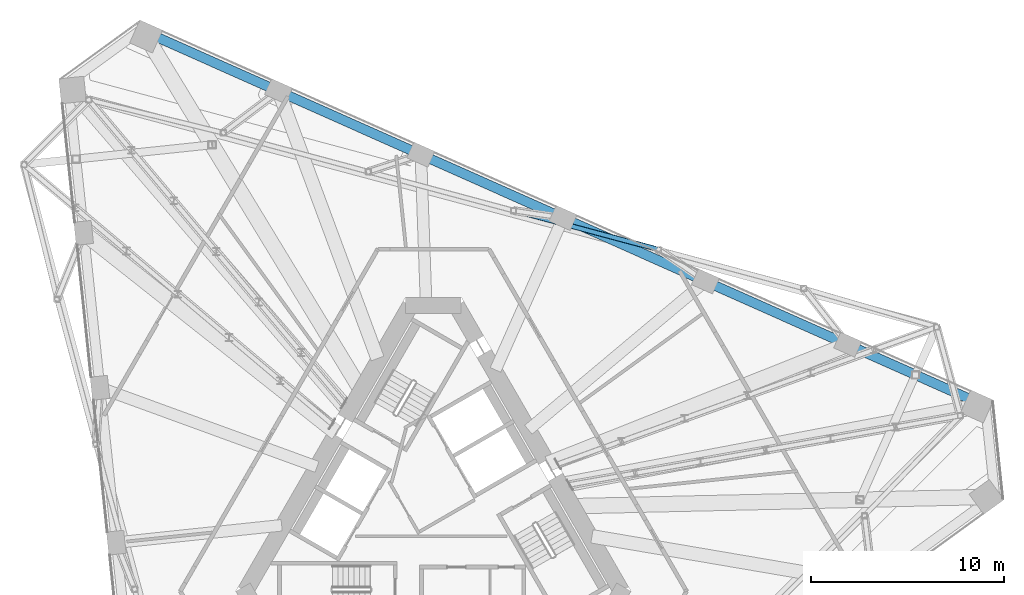
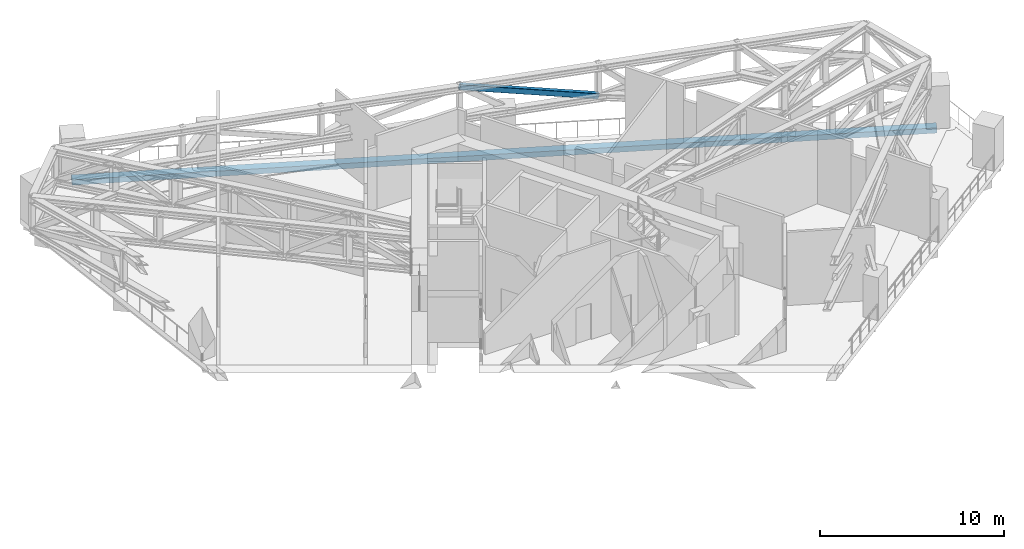
# One storey, part 13 of 26: 1 beam, 1 member.
"""IFC4 building model written with IfcOpenShell, lengths in metres."""

from ifc_helpers import new_model, si_unit, direction, frame, origin, origin_2d, place, context, subcontext, project, spatial, rectangle, hollow_rectangle, extrude, material, material_profile, profile_set, type_object, element, save


model = new_model("IFC4")

# Units and contexts
model_context = context("Model", 3, precision=1e-05, world=origin(), true_north=direction((0.0, 1.0)))
body_context = subcontext(model_context, "Body", "Model", "MODEL_VIEW")
ifc_project = project(units=[si_unit("LENGTHUNIT", "METRE"), si_unit("AREAUNIT", "SQUARE_METRE"), si_unit("VOLUMEUNIT", "CUBIC_METRE"), si_unit("PLANEANGLEUNIT", "RADIAN"), si_unit("MASSUNIT", "GRAM", prefix="KILO")], contexts=[model_context])

# Site, building, storey
site_placement = place(None, origin())
site = spatial("IfcSite", under=ifc_project, at=site_placement, CompositionType="ELEMENT")
building_placement = place(site_placement, origin())
building = spatial("IfcBuilding", under=site, at=building_placement, Name="Tramontana Tower", CompositionType="ELEMENT")
storey_placement = place(building_placement, frame((0.0, 0.0, 194.800048828125)))
storey = spatial("IfcBuildingStorey", under=building, at=storey_placement, Name="L45", CompositionType="ELEMENT", Elevation=194.800048828125)

# Member
ifc_material_1 = material(Name="Steel ASTM A500 Grade C", Category="steel")
ifc_material_profile_1 = material_profile(ifc_material_1, hollow_rectangle(XDim=0.25390625, YDim=0.355712890625, WallThickness=0.01171875, InnerFilletRadius=0.01171875, OuterFilletRadius=0.023681640625, at=origin_2d()), Name="HSS14X10X1/2")
ifc_profile_set_1 = profile_set([ifc_material_profile_1], Name="Steel ASTM A500 Grade C")
member_type = type_object("IfcMemberType", Name="Belt truss HSS14X10X1/2 brace", PredefinedType="BRACE", material=ifc_profile_set_1)
member_placement = place(storey_placement, frame((11.6826171875, 13.48583984375, 2.617431640625), z_axis=(-0.935173482445, 0.250586583826, 0.250313646726), x_axis=(-0.258826373416, -0.965923862644, 0.0)))
element("IfcMember", 1, at=member_placement, inside=storey, type_object=member_type, Name="Belt truss diagonal S2.3", PredefinedType="BRACE", context=body_context, shape_type="SweptSolid", body=[
    extrude(hollow_rectangle(XDim=0.25390625, YDim=0.355712890625, WallThickness=0.01171875, InnerFilletRadius=0.01171875, OuterFilletRadius=0.023681640625, at=origin_2d()), origin(), (0.0, 0.0, 1.0), 8.050537109375),
])

# Beam
ifc_material_2 = material(Name="Concrete 40 MPa", Category="concrete")
ifc_material_profile_2 = material_profile(ifc_material_2, rectangle(XDim=0.5, YDim=0.35009765625, at=origin_2d()), Name="RC EDGE BEAM 500X350 40 MPa")
ifc_profile_set_2 = profile_set([ifc_material_profile_2], Name="Concrete 40 MPa")
beam_type = type_object("IfcBeamType", Name="RC EDGE BEAM 500X350 40 MPa", PredefinedType="SPANDREL", material=ifc_profile_set_2)
beam_placement = place(storey_placement, frame((28.2900390625, 5.520751953125, -0.525146484375), z_axis=(-0.913546423332, 0.406734474095, 0.0), x_axis=(-0.406734474095, -0.913546423332, 0.0)))
element("IfcBeam", 2, at=beam_placement, inside=storey, type_object=beam_type, Name="Spandrel beam S2 L45", PredefinedType="SPANDREL", context=body_context, shape_type="SweptSolid", body=[
    extrude(rectangle(XDim=0.5, YDim=0.35009765625, at=origin_2d()), origin(), (0.0, 0.0, 1.0), 47.197265625),
])

save(model, "model.ifc")
